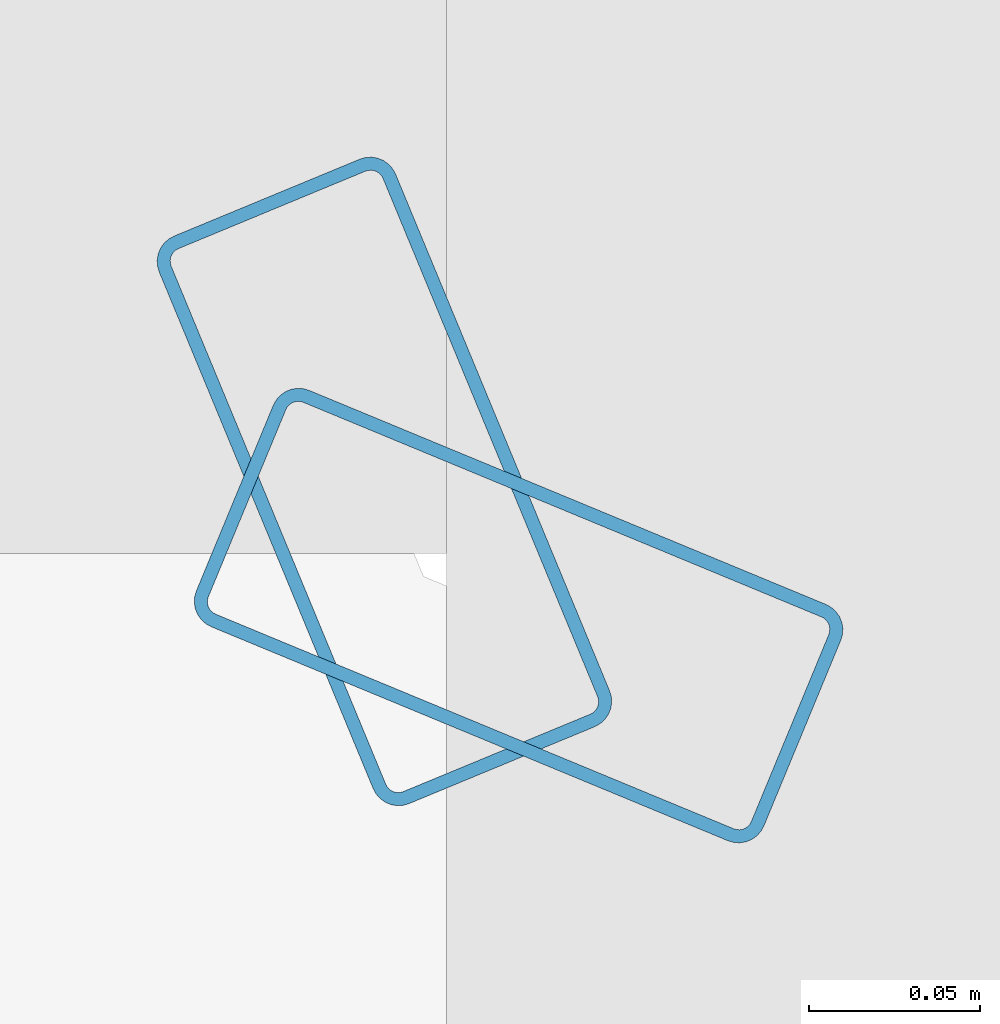
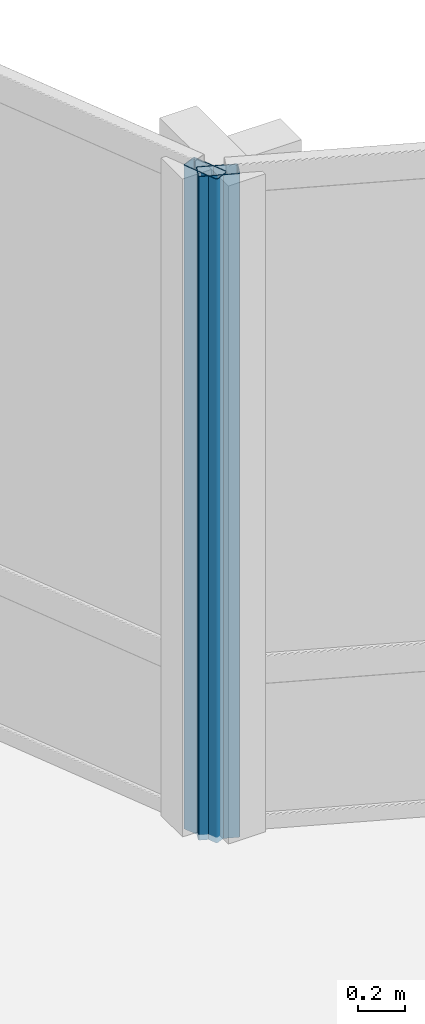
# One storey, part 8 of 29: 2 members, 2 elements without a shape of their own.
"""IFC4 building model written with IfcOpenShell, lengths in metres."""

from ifc_helpers import new_model, si_unit, direction, frame, origin, origin_2d, place, context, subcontext, project, spatial, hollow_rectangle, extrude, material, layer, layer_set, material_profile, profile_set, type_object, element, aggregate, save


model = new_model("IFC4")

# Units and contexts
model_context = context("Model", 3, precision=1e-05, world=origin(), true_north=direction((0.0, 1.0)))
body_context = subcontext(model_context, "Body", "Model", "MODEL_VIEW")
ifc_project = project(units=[si_unit("LENGTHUNIT", "METRE"), si_unit("AREAUNIT", "SQUARE_METRE"), si_unit("VOLUMEUNIT", "CUBIC_METRE"), si_unit("PLANEANGLEUNIT", "RADIAN"), si_unit("MASSUNIT", "GRAM", prefix="KILO")], contexts=[model_context])

# Site, building, storey
site_placement = place(None, origin())
site = spatial("IfcSite", under=ifc_project, at=site_placement, CompositionType="ELEMENT")
building_placement = place(site_placement, origin())
building = spatial("IfcBuilding", under=site, at=building_placement, Name="Solvaryn Broadcast Tower", CompositionType="ELEMENT")
storey_placement = place(building_placement, frame((0.0, 0.0, 121.10009765625)))
storey = spatial("IfcBuildingStorey", under=building, at=storey_placement, Name="L29", CompositionType="ELEMENT", Elevation=121.10009765625)

# Curtain wall, member
ifc_material_1 = material(Name="Aluminium and Terracotta Unitised Curtain Wall", Category="masonry")
ifc_layer = layer(ifc_material_1, 0.199951171875)
ifc_layer_set = layer_set([ifc_layer], Name="CW-SYS2-LOWMID")
curtain_wall_type = type_object("IfcCurtainWallType", Name="CW-SYS2-LOWMID", PredefinedType="NOTDEFINED", material=ifc_layer_set)
curtain_wall_1_placement = place(storey_placement, origin())
curtain_wall_1 = element("IfcCurtainWall", 1, at=curtain_wall_1_placement, inside=storey, type_object=curtain_wall_type, Name="L29 Curtain Wall CN1", PredefinedType="NOTDEFINED")
ifc_material_2 = material(Name="Anodised Aluminium 6063-T6", Category="aluminium")
ifc_material_profile = material_profile(ifc_material_2, hollow_rectangle(XDim=0.074951171875, YDim=0.179931640625, WallThickness=0.00390625, InnerFilletRadius=0.00390625, OuterFilletRadius=0.008056640625, at=origin_2d()))
ifc_profile_set = profile_set([ifc_material_profile], Name="Anodised Aluminium 6063-T6")
member_type = type_object("IfcMemberType", Name="CW-MUL-180", PredefinedType="MULLION", material=ifc_profile_set)
member_1_placement = place(storey_placement, frame((30.395751953125, 30.3564453125, 0.0), z_axis=(0.0, 0.0, 1.0), x_axis=(-0.382646127145, -0.923894983957, 0.0)))
member_1 = element("IfcMember", 2, at=member_1_placement, type_object=member_type, Name="CWS2 mullion 2", PredefinedType="MULLION", context=body_context, shape_type="SweptSolid", body=[
    extrude(hollow_rectangle(XDim=0.074951171875, YDim=0.179931640625, WallThickness=0.00390625, InnerFilletRadius=0.00390625, OuterFilletRadius=0.008056640625, at=origin_2d()), origin(), (0.0, 0.0, 1.0), 3.419921875),
])
aggregate(curtain_wall_1, [member_1])

curtain_wall_2_placement = place(storey_placement, origin())
curtain_wall_2 = element("IfcCurtainWall", 3, at=curtain_wall_2_placement, inside=storey, type_object=curtain_wall_type, Name="L29 Curtain Wall CN2", PredefinedType="NOTDEFINED")
member_2_placement = place(storey_placement, frame((30.3564453125, 30.395751953125, 0.0), z_axis=(0.0, 0.0, 1.0), x_axis=(-0.923894983957, -0.382646127145, 0.0)))
member_2 = element("IfcMember", 4, at=member_2_placement, type_object=member_type, Name="CWS2 mullion 1", PredefinedType="MULLION", context=body_context, shape_type="SweptSolid", body=[
    extrude(hollow_rectangle(XDim=0.074951171875, YDim=0.179931640625, WallThickness=0.00390625, InnerFilletRadius=0.00390625, OuterFilletRadius=0.008056640625, at=origin_2d()), origin(), (0.0, 0.0, 1.0), 3.419921875),
])
aggregate(curtain_wall_2, [member_2])

save(model, "model.ifc")
